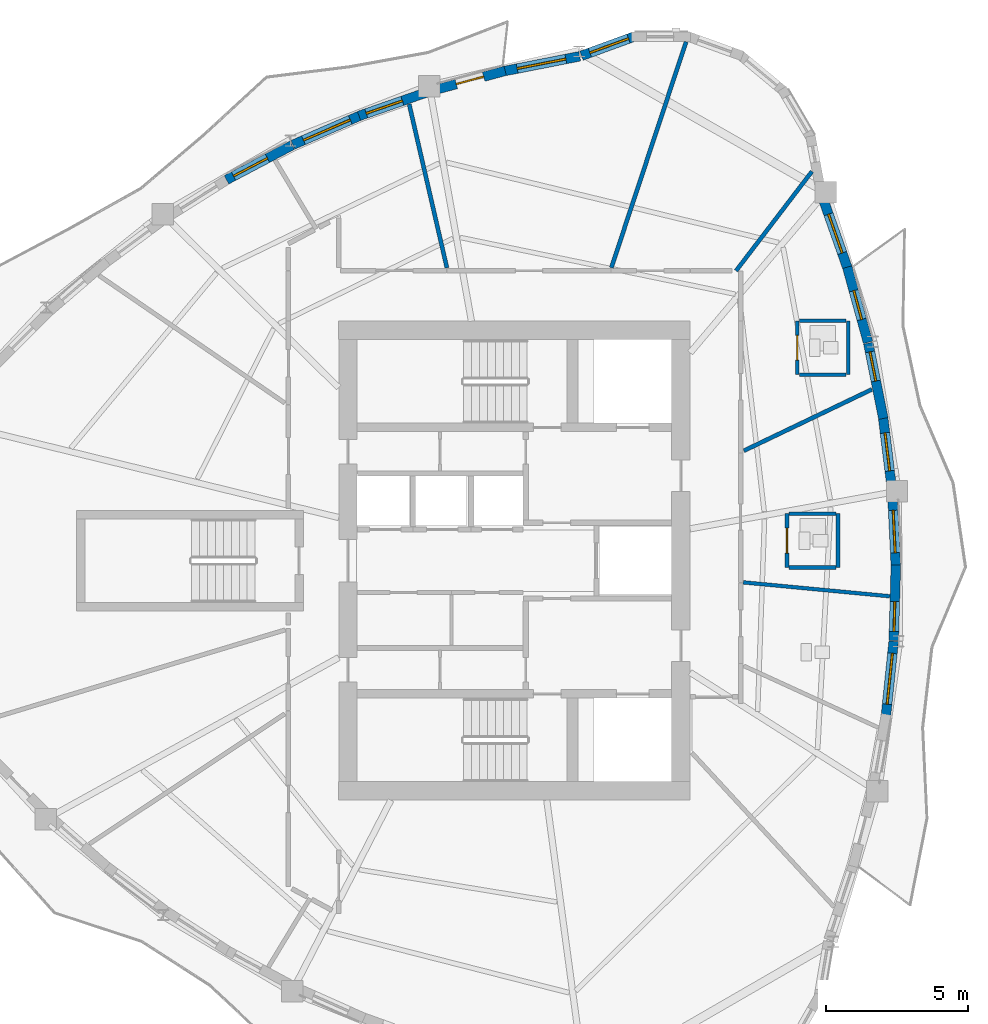
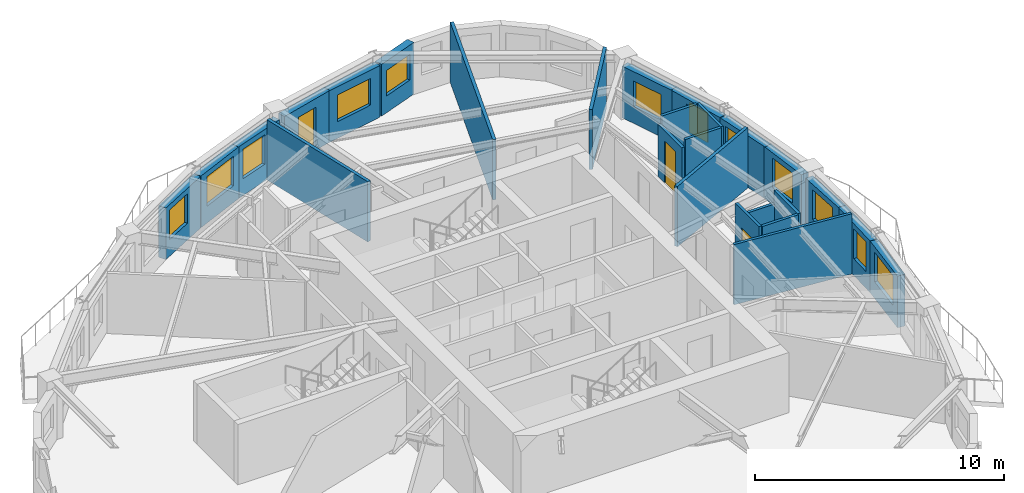
# One storey, part 7 of 12: 26 walls, 12 windows, 3 doors, 15 openings.
"""IFC4 building model written with IfcOpenShell, lengths in metres."""

from ifc_helpers import new_model, si_unit, direction, frame, frame_2d, origin, place, context, subcontext, project, spatial, rectangle, extrude, source, transform, mapped, material, layer, layer_set, type_object, element, fill, save


model = new_model("IFC4")

# Units and contexts
model_context = context("Model", 3, precision=1e-05, world=origin(), true_north=direction((0.0, 1.0)))
body_context = subcontext(model_context, "Body", "Model", "MODEL_VIEW")
ifc_project = project(units=[si_unit("LENGTHUNIT", "METRE"), si_unit("AREAUNIT", "SQUARE_METRE"), si_unit("VOLUMEUNIT", "CUBIC_METRE"), si_unit("PLANEANGLEUNIT", "RADIAN"), si_unit("MASSUNIT", "GRAM", prefix="KILO")], contexts=[model_context])

# Site, building, storey
site_placement = place(None, origin())
site = spatial("IfcSite", under=ifc_project, at=site_placement, CompositionType="ELEMENT")
building_placement = place(site_placement, origin())
building = spatial("IfcBuilding", under=site, at=building_placement, Name="Qafzar Sky-Pleat Residences", CompositionType="ELEMENT")
storey_placement = place(building_placement, frame((0.0, 0.0, 145.800048828125)))
storey = spatial("IfcBuildingStorey", under=building, at=storey_placement, Name="L43", CompositionType="ELEMENT", Elevation=145.800048828125)

# Walls
ifc_material_1 = material(Name="Acoustic gypsum plasterboard partition", Category="gypsum")
ifc_layer_1 = layer(ifc_material_1, 0.14501953125)
ifc_layer_set_1 = layer_set([ifc_layer_1], Name="Acoustic gypsum plasterboard partition")
wall_type_1 = type_object("IfcWallType", Name="PART-UNIT-145", PredefinedType="PARTITIONING", material=ifc_layer_set_1)
wall_1_placement = place(storey_placement, frame((33.7705078125, 36.34033203125, 0.0), z_axis=(0.0, 0.0, 1.0), x_axis=(0.314080540859, 0.949396341816, 0.0)))
element("IfcWall", 1, at=wall_1_placement, inside=storey, type_object=wall_type_1, Name="L43 Partition Wall PART-L43-PW-016", PredefinedType="PARTITIONING", context=body_context, shape_type="SweptSolid", body=[
    extrude(rectangle(XDim=8.394287109375, YDim=0.14501953125, at=frame_2d((4.197265625, 0.0))), origin(), (0.0, 0.0, 1.0), 2.949951171875),
])
wall_2_placement = place(storey_placement, frame((26.6337890625, 42.11328125, 0.0), z_axis=(0.0, 0.0, 1.0), x_axis=(0.224790361783, -0.97440714963, 0.0)))
element("IfcWall", 2, at=wall_2_placement, inside=storey, type_object=wall_type_1, Name="L43 Partition Wall PART-L43-PW-020", PredefinedType="PARTITIONING", context=body_context, shape_type="SweptSolid", body=[
    extrude(rectangle(XDim=5.93115234375, YDim=0.14501953125, at=frame_2d((2.965576171875, 0.0))), origin(), (0.0, 0.0, 1.0), 2.949951171875),
])
wall_3_placement = place(storey_placement, frame((38.448486328125, 29.880859375, 0.0), z_axis=(0.0, 0.0, 1.0), x_axis=(0.901842564972, 0.432064796072, 0.0)))
element("IfcWall", 3, at=wall_3_placement, inside=storey, type_object=wall_type_1, Name="L43 Partition Wall PART-L43-PW-023", PredefinedType="PARTITIONING", context=body_context, shape_type="SweptSolid", body=[
    extrude(rectangle(XDim=5.004150390625, YDim=0.14501953125, at=frame_2d((2.501953125, 0.0))), origin(), (0.0, 0.0, 1.0), 2.949951171875),
])
wall_4_placement = place(storey_placement, frame((38.169921875, 36.22998046875, 0.0), z_axis=(0.0, 0.0, 1.0), x_axis=(0.607203490548, 0.794546361811, 0.0)))
element("IfcWall", 4, at=wall_4_placement, inside=storey, type_object=wall_type_1, Name="L43 Partition Wall PART-L43-PW-024", PredefinedType="PARTITIONING", context=body_context, shape_type="SweptSolid", body=[
    extrude(rectangle(XDim=4.409912109375, YDim=0.14501953125, at=frame_2d((2.205078125, 0.0))), origin(), (0.0, 0.0, 1.0), 2.949951171875),
])

# Wall, opening, door
ifc_material_2 = material(Name="Moisture-resistant gypsum partition", Category="gypsum")
ifc_layer_2 = layer(ifc_material_2, 0.1298828125)
ifc_layer_set_2 = layer_set([ifc_layer_2], Name="Moisture-resistant gypsum partition")
wall_type_2 = type_object("IfcWallType", Name="PART-WET-130", PredefinedType="PARTITIONING", material=ifc_layer_set_2)
wall_5_placement = place(storey_placement, frame((39.968017578125, 27.656982421875, 0.0), z_axis=(0.0, 0.0, 1.0), x_axis=(0.0, -1.0, 0.0)))
wall_5 = element("IfcWall", 5, at=wall_5_placement, inside=storey, type_object=wall_type_2, Name="L43 Partition Wall PART-L43-PW-012", PredefinedType="PARTITIONING", context=body_context, shape_type="SweptSolid", body=[
    extrude(rectangle(XDim=1.89990234375, YDim=0.1298828125, at=frame_2d((0.949951171875, 0.0))), origin(), (0.0, 0.0, 1.0), 2.949951171875),
])
opening_1_placement = place(wall_5_placement, frame((0.510009765625, 0.0, 0.0)))
opening_1 = element("IfcOpeningElement", 6, at=opening_1_placement, cuts=wall_5, Name="Opening ID-07", PredefinedType="OPENING", context=body_context, shape_type="SweptSolid", body=[
    extrude(rectangle(XDim=0.8798828125, YDim=2.050048828125, at=frame_2d((0.43994140625, 1.02490234375))), frame((0.0, 0.074951171875, 0.0), z_axis=(0.0, -1.0, 0.0), x_axis=(1.0, 0.0, 0.0)), (0.0, 0.0, 1.0), 0.14990234375),
])
ifc_material_3 = material(Name="Timber-faced fire door", Category="wood")
door_type_1 = type_object("IfcDoorType", Name="DR-WET-880", OperationType="NOTDEFINED", PredefinedType="DOOR", material=ifc_material_3)
shared_shape_1 = source(origin(), body_context, "Body", "SweptSolid", [
    extrude(rectangle(XDim=0.8798828125, YDim=2.050048828125, at=frame_2d((0.43994140625, 1.02490234375))), frame((0.0, 0.02490234375, 0.0), z_axis=(0.0, -1.0, 0.0), x_axis=(1.0, 0.0, 0.0)), (0.0, 0.0, 1.0), 0.050048828125),
])
door_1_placement = place(opening_1_placement, origin())
door_1 = element("IfcDoor", 7, at=door_1_placement, inside=storey, type_object=door_type_1, Name="L43 En-suite Bathroom 1 Door", OperationType="SINGLE_SWING_RIGHT", OverallHeight=2.050048828125, OverallWidth=0.8798828125, PredefinedType="DOOR", context=body_context, shape_type="MappedRepresentation", body=[
    mapped(shared_shape_1, transform((0.0, 0.0, 0.0), x_axis=(1.0, 0.0, 0.0), y_axis=(0.0, 1.0, 0.0), z_axis=(0.0, 0.0, 1.0), scale=1.0)),
])
fill(opening_1, door_1)

wall_6_placement = place(storey_placement, frame((40.330078125, 34.464111328125, 0.0), z_axis=(0.0, 0.0, 1.0), x_axis=(0.0, -1.0, 0.0)))
wall_6 = element("IfcWall", 8, at=wall_6_placement, inside=storey, type_object=wall_type_2, Name="L43 Partition Wall PART-L43-PW-013", PredefinedType="PARTITIONING", context=body_context, shape_type="SweptSolid", body=[
    extrude(rectangle(XDim=1.900146484375, YDim=0.1298828125, at=frame_2d((0.9501953125, 0.0))), origin(), (0.0, 0.0, 1.0), 2.557861328125),
])
opening_2_placement = place(wall_6_placement, frame((0.510009765625, 0.0, 0.0)))
opening_2 = element("IfcOpeningElement", 9, at=opening_2_placement, cuts=wall_6, Name="Opening ID-07", PredefinedType="OPENING", context=body_context, shape_type="SweptSolid", body=[
    extrude(rectangle(XDim=0.8798828125, YDim=2.050048828125, at=frame_2d((0.43994140625, 1.02490234375))), frame((0.0, 0.074951171875, 0.0), z_axis=(0.0, -1.0, 0.0), x_axis=(1.0, 0.0, 0.0)), (0.0, 0.0, 1.0), 0.14990234375),
])
door_2_placement = place(opening_2_placement, origin())
door_2 = element("IfcDoor", 10, at=door_2_placement, inside=storey, type_object=door_type_1, Name="L43 En-suite Bathroom 2 Door", OperationType="SINGLE_SWING_LEFT", OverallHeight=2.050048828125, OverallWidth=0.8798828125, PredefinedType="DOOR", context=body_context, shape_type="MappedRepresentation", body=[
    mapped(shared_shape_1, transform((0.0, 0.0, 0.0), x_axis=(1.0, 0.0, 0.0), y_axis=(0.0, 1.0, 0.0), z_axis=(0.0, 0.0, 1.0), scale=1.0)),
])
fill(opening_2, door_2)

# Walls
wall_7_placement = place(storey_placement, frame((38.424072265625, 25.235107421875, 0.0), z_axis=(0.0, 0.0, 1.0), x_axis=(0.995523942217, -0.094509684549, 0.0)))
element("IfcWall", 11, at=wall_7_placement, inside=storey, type_object=wall_type_2, Name="L43 Partition Wall PART-L43-PW-022", PredefinedType="PARTITIONING", context=body_context, shape_type="SweptSolid", body=[
    extrude(rectangle(XDim=5.19482421875, YDim=0.1298828125, at=frame_2d((2.597412109375, 0.0))), origin(), (0.0, 0.0, 1.0), 2.949951171875),
])
wall_8_placement = place(storey_placement, frame((41.76806640625, 25.757080078125, 0.0), z_axis=(0.0, 0.0, 1.0), x_axis=(0.0, 1.0, 0.0)))
element("IfcWall", 12, at=wall_8_placement, inside=storey, type_object=wall_type_2, Name="L43 Partition Wall PART-L43-PW-027", PredefinedType="PARTITIONING", context=body_context, shape_type="SweptSolid", body=[
    extrude(rectangle(XDim=1.89990234375, YDim=0.1298828125, at=frame_2d((0.949951171875, 0.0))), origin(), (0.0, 0.0, 1.0), 2.949951171875),
])
wall_9_placement = place(storey_placement, frame((42.1298828125, 32.56396484375, 0.0), z_axis=(0.0, 0.0, 1.0), x_axis=(0.0, 1.0, 0.0)))
element("IfcWall", 13, at=wall_9_placement, inside=storey, type_object=wall_type_2, Name="L43 Partition Wall PART-L43-PW-028", PredefinedType="PARTITIONING", context=body_context, shape_type="SweptSolid", body=[
    extrude(rectangle(XDim=1.900146484375, YDim=0.1298828125, at=frame_2d((0.9501953125, 0.0))), origin(), (0.0, 0.0, 1.0), 2.949951171875),
])
for number, where, z_axis, x_axis, name in (
    (14, (40.403076171875, 34.464111328125, 0.0), (0.0, 0.0, 1.0), (1.0, 0.0, 0.0), "L43 Partition Wall PART-L43-PW-029"),
    (15, (40.403076171875, 32.56396484375, 0.0), (0.0, 0.0, 1.0), (1.0, 0.0, 0.0), "L43 Partition Wall PART-L43-PW-030"),
):
    element("IfcWall", number, at=place(storey_placement, frame(where, z_axis=z_axis, x_axis=x_axis)), inside=storey, type_object=wall_type_2, Name=name, PredefinedType="PARTITIONING", context=body_context, shape_type="SweptSolid", body=[
        extrude(rectangle(XDim=1.65380859375, YDim=0.1298828125, at=frame_2d((0.826904296875, 0.0))), origin(), (0.0, 0.0, 1.0), 2.949951171875),
    ])
wall_10_placement = place(storey_placement, frame((40.041015625, 27.656982421875, 0.0), z_axis=(0.0, 0.0, 1.0), x_axis=(1.0, 0.0, 0.0)))
element("IfcWall", 16, at=wall_10_placement, inside=storey, type_object=wall_type_2, Name="L43 Partition Wall PART-L43-PW-031", PredefinedType="PARTITIONING", context=body_context, shape_type="SweptSolid", body=[
    extrude(rectangle(XDim=1.654052734375, YDim=0.1298828125, at=frame_2d((0.8271484375, 0.0))), origin(), (0.0, 0.0, 1.0), 2.31787109375),
])
wall_11_placement = place(storey_placement, frame((40.041015625, 25.757080078125, 0.0), z_axis=(0.0, 0.0, 1.0), x_axis=(1.0, 0.0, 0.0)))
element("IfcWall", 17, at=wall_11_placement, inside=storey, type_object=wall_type_2, Name="L43 Partition Wall PART-L43-PW-032", PredefinedType="PARTITIONING", context=body_context, shape_type="SweptSolid", body=[
    extrude(rectangle(XDim=1.654052734375, YDim=0.1298828125, at=frame_2d((0.8271484375, 0.0))), origin(), (0.0, 0.0, 1.0), 2.949951171875),
])

# Wall, opening, window
ifc_material_4 = material(Name="Precast concrete C40/50 with honed Riyadh limestone", Category="concrete")
ifc_layer_3 = layer(ifc_material_4, 0.340087890625)
ifc_layer_set_3 = layer_set([ifc_layer_3], Name="Precast concrete C40/50 with honed Riyadh limestone")
wall_type_3 = type_object("IfcWallType", Name="WALL-EXT-340", PredefinedType="SOLIDWALL", material=ifc_layer_set_3)
wall_12_placement = place(storey_placement, frame((43.4541015625, 20.490478515625, 0.0), z_axis=(0.0, 0.0, 1.0), x_axis=(0.103669919384, 0.994611757328, 0.0)))
wall_12 = element("IfcWall", 18, at=wall_12_placement, inside=storey, type_object=wall_type_3, Name="L43 Limestone Facade Wall 26", PredefinedType="SOLIDWALL", context=body_context, shape_type="SweptSolid", body=[
    extrude(rectangle(XDim=2.679931640625, YDim=0.340087890625, at=frame_2d((1.33984375, 0.0))), origin(), (0.0, 0.0, 1.0), 2.530029296875),
])
opening_3_placement = place(wall_12_placement, frame((0.449951171875, 0.0, 0.820068359375)))
opening_3 = element("IfcOpeningElement", 19, at=opening_3_placement, cuts=wall_12, Name="Opening WN-01", PredefinedType="OPENING", context=body_context, shape_type="SweptSolid", body=[
    extrude(rectangle(XDim=1.800048828125, YDim=1.449951171875, at=frame_2d((0.89990234375, 0.72509765625))), frame((0.0, 0.18017578125, 0.0), z_axis=(0.0, -1.0, 0.0), x_axis=(1.0, 0.0, 0.0)), (0.0, 0.0, 1.0), 0.360107421875),
])
ifc_material_5 = material(Name="Solar-control low-E glass in bronze aluminium frame", Category="glass")
window_type_1 = type_object("IfcWindowType", Name="WIN-01", PartitioningType="DOUBLE_PANEL_VERTICAL", PredefinedType="WINDOW", material=ifc_material_5)
shared_shape_2 = source(origin(), body_context, "Body", "SweptSolid", [
    extrude(rectangle(XDim=1.800048828125, YDim=1.449951171875, at=frame_2d((0.89990234375, 0.72509765625))), frame((0.0, 0.030029296875, 0.0), z_axis=(0.0, -1.0, 0.0), x_axis=(1.0, 0.0, 0.0)), (0.0, 0.0, 1.0), 0.06005859375),
])
window_1_placement = place(opening_3_placement, origin())
window_1 = element("IfcWindow", 20, at=window_1_placement, inside=storey, type_object=window_type_1, Name="L43 Punched Facade Window 26", OverallHeight=1.449951171875, OverallWidth=1.800048828125, PartitioningType="SINGLE_PANEL", PredefinedType="WINDOW", context=body_context, shape_type="MappedRepresentation", body=[
    mapped(shared_shape_2, transform((0.0, 0.0, 0.0), x_axis=(1.0, 0.0, 0.0), y_axis=(0.0, 1.0, 0.0), z_axis=(0.0, 0.0, 1.0), scale=1.0)),
])
fill(opening_3, window_1)

wall_13_placement = place(storey_placement, frame((43.73388671875, 23.18310546875, 0.0), z_axis=(0.0, 0.0, 1.0), x_axis=(0.028311286797, 0.999599155182, 0.0)))
wall_13 = element("IfcWall", 21, at=wall_13_placement, inside=storey, type_object=wall_type_3, Name="L43 Limestone Facade Wall 27", PredefinedType="SOLIDWALL", context=body_context, shape_type="SweptSolid", body=[
    extrude(rectangle(XDim=2.66455078125, YDim=0.340087890625, at=frame_2d((1.332275390625, 0.0))), origin(), (0.0, 0.0, 1.0), 2.530029296875),
])
opening_4_placement = place(wall_13_placement, frame((0.322509765625, 0.0, 0.820068359375)))
opening_4 = element("IfcOpeningElement", 22, at=opening_4_placement, cuts=wall_13, Name="Opening WN-06", PredefinedType="OPENING", context=body_context, shape_type="SweptSolid", body=[
    extrude(rectangle(XDim=1.050048828125, YDim=1.449951171875, at=frame_2d((0.52490234375, 0.72509765625))), frame((0.0, 0.18017578125, 0.0), z_axis=(0.0, -1.0, 0.0), x_axis=(1.0, 0.0, 0.0)), (0.0, 0.0, 1.0), 0.360107421875),
])
window_type_2 = type_object("IfcWindowType", Name="WIN-06", PartitioningType="SINGLE_PANEL", PredefinedType="WINDOW", material=ifc_material_5)
shared_shape_3 = source(origin(), body_context, "Body", "SweptSolid", [
    extrude(rectangle(XDim=1.050048828125, YDim=1.449951171875, at=frame_2d((0.52490234375, 0.72509765625))), frame((0.0, 0.030029296875, 0.0), z_axis=(0.0, -1.0, 0.0), x_axis=(1.0, 0.0, 0.0)), (0.0, 0.0, 1.0), 0.06005859375),
])
window_2_placement = place(opening_4_placement, origin())
window_2 = element("IfcWindow", 23, at=window_2_placement, inside=storey, type_object=window_type_2, Name="L43 Punched Facade Window 27", OverallHeight=1.449951171875, OverallWidth=1.050048828125, PartitioningType="SINGLE_PANEL", PredefinedType="WINDOW", context=body_context, shape_type="MappedRepresentation", body=[
    mapped(shared_shape_3, transform((0.0, 0.0, 0.0), x_axis=(1.0, 0.0, 0.0), y_axis=(0.0, 1.0, 0.0), z_axis=(0.0, 0.0, 1.0), scale=1.0)),
])
fill(opening_4, window_2)

wall_14_placement = place(storey_placement, frame((43.810302734375, 25.7578125, 0.0), z_axis=(0.0, 0.0, 1.0), x_axis=(-0.047679791281, 0.998862671994, 0.0)))
wall_14 = element("IfcWall", 24, at=wall_14_placement, inside=storey, type_object=wall_type_3, Name="L43 Limestone Facade Wall 28", PredefinedType="SOLIDWALL", context=body_context, shape_type="SweptSolid", body=[
    extrude(rectangle(XDim=2.529541015625, YDim=0.340087890625, at=frame_2d((1.2646484375, 0.0))), origin(), (0.0, 0.0, 1.0), 2.530029296875),
])
opening_5_placement = place(wall_14_placement, frame((0.519775390625, 0.0, 0.820068359375)))
opening_5 = element("IfcOpeningElement", 25, at=opening_5_placement, cuts=wall_14, Name="Opening WN-03", PredefinedType="OPENING", context=body_context, shape_type="SweptSolid", body=[
    extrude(rectangle(XDim=1.5, YDim=1.449951171875, at=frame_2d((0.75, 0.72509765625))), frame((0.0, 0.18017578125, 0.0), z_axis=(0.0, -1.0, 0.0), x_axis=(1.0, 0.0, 0.0)), (0.0, 0.0, 1.0), 0.360107421875),
])
window_type_3 = type_object("IfcWindowType", Name="WIN-03", PartitioningType="DOUBLE_PANEL_VERTICAL", PredefinedType="WINDOW", material=ifc_material_5)
shared_shape_4 = source(origin(), body_context, "Body", "SweptSolid", [
    extrude(rectangle(XDim=1.5, YDim=1.449951171875, at=frame_2d((0.75, 0.72509765625))), frame((0.0, 0.030029296875, 0.0), z_axis=(0.0, -1.0, 0.0), x_axis=(1.0, 0.0, 0.0)), (0.0, 0.0, 1.0), 0.06005859375),
])
window_3_placement = place(opening_5_placement, origin())
window_3 = element("IfcWindow", 26, at=window_3_placement, inside=storey, type_object=window_type_3, Name="L43 Punched Facade Window 28", OverallHeight=1.449951171875, OverallWidth=1.5, PartitioningType="SINGLE_PANEL", PredefinedType="WINDOW", context=body_context, shape_type="MappedRepresentation", body=[
    mapped(shared_shape_4, transform((0.0, 0.0, 0.0), x_axis=(1.0, 0.0, 0.0), y_axis=(0.0, 1.0, 0.0), z_axis=(0.0, 0.0, 1.0), scale=1.0)),
])
fill(opening_5, window_3)

wall_15_placement = place(storey_placement, frame((43.664306640625, 28.580078125, 0.0), z_axis=(0.0, 0.0, 1.0), x_axis=(-0.122794881762, 0.992432071737, 0.0)))
wall_15 = element("IfcWall", 27, at=wall_15_placement, inside=storey, type_object=wall_type_3, Name="L43 Limestone Facade Wall 29", PredefinedType="SOLIDWALL", context=body_context, shape_type="SweptSolid", body=[
    extrude(rectangle(XDim=2.544921875, YDim=0.340087890625, at=frame_2d((1.2724609375, 0.0))), origin(), (0.0, 0.0, 1.0), 2.530029296875),
])
opening_6_placement = place(wall_15_placement, frame((0.59228515625, 0.0, 0.820068359375)))
opening_6 = element("IfcOpeningElement", 28, at=opening_6_placement, cuts=wall_15, Name="Opening WN-04", PredefinedType="OPENING", context=body_context, shape_type="SweptSolid", body=[
    extrude(rectangle(XDim=1.35009765625, YDim=1.449951171875, at=frame_2d((0.675048828125, 0.72509765625))), frame((0.0, 0.18017578125, 0.0), z_axis=(0.0, -1.0, 0.0), x_axis=(1.0, 0.0, 0.0)), (0.0, 0.0, 1.0), 0.360107421875),
])
window_type_4 = type_object("IfcWindowType", Name="WIN-04", PartitioningType="SINGLE_PANEL", PredefinedType="WINDOW", material=ifc_material_5)
shared_shape_5 = source(origin(), body_context, "Body", "SweptSolid", [
    extrude(rectangle(XDim=1.35009765625, YDim=1.449951171875, at=frame_2d((0.675048828125, 0.72509765625))), frame((0.0, 0.030029296875, 0.0), z_axis=(0.0, -1.0, 0.0), x_axis=(1.0, 0.0, 0.0)), (0.0, 0.0, 1.0), 0.06005859375),
])
window_4_placement = place(opening_6_placement, origin())
window_4 = element("IfcWindow", 29, at=window_4_placement, inside=storey, type_object=window_type_4, Name="L43 Punched Facade Window 29", OverallHeight=1.449951171875, OverallWidth=1.35009765625, PartitioningType="SINGLE_PANEL", PredefinedType="WINDOW", context=body_context, shape_type="MappedRepresentation", body=[
    mapped(shared_shape_5, transform((0.0, 0.0, 0.0), x_axis=(1.0, 0.0, 0.0), y_axis=(0.0, 1.0, 0.0), z_axis=(0.0, 0.0, 1.0), scale=1.0)),
])
fill(opening_6, window_4)

wall_16_placement = place(storey_placement, frame((43.365966796875, 31.018310546875, 0.0), z_axis=(0.0, 0.0, 1.0), x_axis=(-0.196116135138, 0.980580675691, 0.0)))
wall_16 = element("IfcWall", 30, at=wall_16_placement, inside=storey, type_object=wall_type_3, Name="L43 Limestone Facade Wall 30", PredefinedType="SOLIDWALL", context=body_context, shape_type="SweptSolid", body=[
    extrude(rectangle(XDim=2.710205078125, YDim=0.340087890625, at=frame_2d((1.35498046875, 0.0))), origin(), (0.0, 0.0, 1.0), 2.530029296875),
])
opening_7_placement = place(wall_16_placement, frame((1.3466796875, 0.0, 0.820068359375)))
opening_7 = element("IfcOpeningElement", 31, at=opening_7_placement, cuts=wall_16, Name="Opening WN-06", PredefinedType="OPENING", context=body_context, shape_type="SweptSolid", body=[
    extrude(rectangle(XDim=1.050048828125, YDim=1.449951171875, at=frame_2d((0.52490234375, 0.72509765625))), frame((0.0, 0.18017578125, 0.0), z_axis=(0.0, -1.0, 0.0), x_axis=(1.0, 0.0, 0.0)), (0.0, 0.0, 1.0), 0.360107421875),
])
window_5_placement = place(opening_7_placement, origin())
window_5 = element("IfcWindow", 32, at=window_5_placement, inside=storey, type_object=window_type_2, Name="L43 Punched Facade Window 30-2", OverallHeight=1.449951171875, OverallWidth=1.050048828125, PartitioningType="SINGLE_PANEL", PredefinedType="WINDOW", context=body_context, shape_type="MappedRepresentation", body=[
    mapped(shared_shape_3, transform((0.0, 0.0, 0.0), x_axis=(1.0, 0.0, 0.0), y_axis=(0.0, 1.0, 0.0), z_axis=(0.0, 0.0, 1.0), scale=1.0)),
])
fill(opening_7, window_5)

wall_17_placement = place(storey_placement, frame((42.827880859375, 33.70263671875, 0.0), z_axis=(0.0, 0.0, 1.0), x_axis=(-0.266340796898, 0.963878923884, 0.0)))
wall_17 = element("IfcWall", 33, at=wall_17_placement, inside=storey, type_object=wall_type_3, Name="L43 Limestone Facade Wall 31", PredefinedType="SOLIDWALL", context=body_context, shape_type="SweptSolid", body=[
    extrude(rectangle(XDim=2.754638671875, YDim=0.340087890625, at=frame_2d((1.37744140625, 0.0))), origin(), (0.0, 0.0, 1.0), 2.530029296875),
])
opening_8_placement = place(wall_17_placement, frame((0.84228515625, 0.0, 0.820068359375)))
opening_8 = element("IfcOpeningElement", 34, at=opening_8_placement, cuts=wall_17, Name="Opening WN-06", PredefinedType="OPENING", context=body_context, shape_type="SweptSolid", body=[
    extrude(rectangle(XDim=1.050048828125, YDim=1.449951171875, at=frame_2d((0.52490234375, 0.72509765625))), frame((0.0, 0.18017578125, 0.0), z_axis=(0.0, -1.0, 0.0), x_axis=(1.0, 0.0, 0.0)), (0.0, 0.0, 1.0), 0.360107421875),
])
window_6_placement = place(opening_8_placement, origin())
window_6 = element("IfcWindow", 35, at=window_6_placement, inside=storey, type_object=window_type_2, Name="L43 Punched Facade Window 31", OverallHeight=1.449951171875, OverallWidth=1.050048828125, PartitioningType="SINGLE_PANEL", PredefinedType="WINDOW", context=body_context, shape_type="MappedRepresentation", body=[
    mapped(shared_shape_3, transform((0.0, 0.0, 0.0), x_axis=(1.0, 0.0, 0.0), y_axis=(0.0, 1.0, 0.0), z_axis=(0.0, 0.0, 1.0), scale=1.0)),
])
fill(opening_8, window_6)

wall_18_placement = place(storey_placement, frame((42.12060546875, 36.27392578125, 0.0), z_axis=(0.0, 0.0, 1.0), x_axis=(-0.332724751299, 0.943023986902, 0.0)))
wall_18 = element("IfcWall", 36, at=wall_18_placement, inside=storey, type_object=wall_type_3, Name="L43 Limestone Facade Wall 32", PredefinedType="SOLIDWALL", context=body_context, shape_type="SweptSolid", body=[
    extrude(rectangle(XDim=2.67822265625, YDim=0.340087890625, at=frame_2d((1.339111328125, 0.0))), origin(), (0.0, 0.0, 1.0), 2.530029296875),
])
opening_9_placement = place(wall_18_placement, frame((0.618896484375, 0.0, 0.820068359375)))
opening_9 = element("IfcOpeningElement", 37, at=opening_9_placement, cuts=wall_18, Name="Opening WN-15", PredefinedType="OPENING", context=body_context, shape_type="SweptSolid", body=[
    extrude(rectangle(XDim=1.449951171875, YDim=1.25, at=frame_2d((0.72509765625, 0.625))), frame((0.0, 0.18017578125, 0.0), z_axis=(0.0, -1.0, 0.0), x_axis=(1.0, 0.0, 0.0)), (0.0, 0.0, 1.0), 0.360107421875),
])
window_type_5 = type_object("IfcWindowType", Name="WIN-15", PartitioningType="SINGLE_PANEL", PredefinedType="WINDOW", material=ifc_material_5)
shared_shape_6 = source(origin(), body_context, "Body", "SweptSolid", [
    extrude(rectangle(XDim=1.449951171875, YDim=1.25, at=frame_2d((0.72509765625, 0.625))), frame((0.0, 0.030029296875, 0.0), z_axis=(0.0, -1.0, 0.0), x_axis=(1.0, 0.0, 0.0)), (0.0, 0.0, 1.0), 0.06005859375),
])
window_7_placement = place(opening_9_placement, origin())
window_7 = element("IfcWindow", 38, at=window_7_placement, inside=storey, type_object=window_type_5, Name="L43 Punched Facade Window 32", OverallHeight=1.25, OverallWidth=1.449951171875, PartitioningType="SINGLE_PANEL", PredefinedType="WINDOW", context=body_context, shape_type="MappedRepresentation", body=[
    mapped(shared_shape_6, transform((0.0, 0.0, 0.0), x_axis=(1.0, 0.0, 0.0), y_axis=(0.0, 1.0, 0.0), z_axis=(0.0, 0.0, 1.0), scale=1.0)),
])
fill(opening_9, window_7)

wall_19_placement = place(storey_placement, frame((34.6162109375, 44.509765625, 0.0), z_axis=(0.0, 0.0, 1.0), x_axis=(-0.939426417976, -0.342750645819, 0.0)))
wall_19 = element("IfcWall", 39, at=wall_19_placement, inside=storey, type_object=wall_type_3, Name="L43 Limestone Facade Wall 38", PredefinedType="SOLIDWALL", context=body_context, shape_type="SweptSolid", body=[
    extrude(rectangle(XDim=2.02294921875, YDim=0.340087890625, at=frame_2d((1.011474609375, 0.0))), origin(), (0.0, 0.0, 1.0), 2.530029296875),
])
opening_10_placement = place(wall_19_placement, frame((0.256591796875, 0.0, 0.820068359375)))
opening_10 = element("IfcOpeningElement", 40, at=opening_10_placement, cuts=wall_19, Name="Opening WN-15", PredefinedType="OPENING", context=body_context, shape_type="SweptSolid", body=[
    extrude(rectangle(XDim=1.449951171875, YDim=1.25, at=frame_2d((0.72509765625, 0.625))), frame((0.0, 0.18017578125, 0.0), z_axis=(0.0, -1.0, 0.0), x_axis=(1.0, 0.0, 0.0)), (0.0, 0.0, 1.0), 0.360107421875),
])
window_8_placement = place(opening_10_placement, origin())
window_8 = element("IfcWindow", 41, at=window_8_placement, inside=storey, type_object=window_type_5, Name="L43 Punched Facade Window 38", OverallHeight=1.25, OverallWidth=1.449951171875, PartitioningType="SINGLE_PANEL", PredefinedType="WINDOW", context=body_context, shape_type="MappedRepresentation", body=[
    mapped(shared_shape_6, transform((0.0, 0.0, 0.0), x_axis=(1.0, 0.0, 0.0), y_axis=(0.0, 1.0, 0.0), z_axis=(0.0, 0.0, 1.0), scale=1.0)),
])
fill(opening_10, window_8)

wall_20_placement = place(storey_placement, frame((32.65185546875, 43.798583984375, 0.0), z_axis=(0.0, 0.0, 1.0), x_axis=(-0.98123033563, -0.192839385083, 0.0)))
wall_20 = element("IfcWall", 42, at=wall_20_placement, inside=storey, type_object=wall_type_3, Name="L43 Limestone Facade Wall 39", PredefinedType="SOLIDWALL", context=body_context, shape_type="SweptSolid", body=[
    extrude(rectangle(XDim=2.766357421875, YDim=0.340087890625, at=frame_2d((1.38330078125, 0.0))), origin(), (0.0, 0.0, 1.0), 2.530029296875),
])
opening_11_placement = place(wall_20_placement, frame((0.498046875, 0.0, 0.820068359375)))
opening_11 = element("IfcOpeningElement", 43, at=opening_11_placement, cuts=wall_20, Name="Opening WN-14", PredefinedType="OPENING", context=body_context, shape_type="SweptSolid", body=[
    extrude(rectangle(XDim=1.75, YDim=1.300048828125, at=frame_2d((0.875, 0.64990234375))), frame((0.0, 0.18017578125, 0.0), z_axis=(0.0, -1.0, 0.0), x_axis=(1.0, 0.0, 0.0)), (0.0, 0.0, 1.0), 0.360107421875),
])
window_type_6 = type_object("IfcWindowType", Name="WIN-14", PartitioningType="DOUBLE_PANEL_VERTICAL", PredefinedType="WINDOW", material=ifc_material_5)
shared_shape_7 = source(origin(), body_context, "Body", "SweptSolid", [
    extrude(rectangle(XDim=1.75, YDim=1.300048828125, at=frame_2d((0.875, 0.64990234375))), frame((0.0, 0.030029296875, 0.0), z_axis=(0.0, -1.0, 0.0), x_axis=(1.0, 0.0, 0.0)), (0.0, 0.0, 1.0), 0.06005859375),
])
window_9_placement = place(opening_11_placement, origin())
window_9 = element("IfcWindow", 44, at=window_9_placement, inside=storey, type_object=window_type_6, Name="L43 Punched Facade Window 39", OverallHeight=1.300048828125, OverallWidth=1.75, PartitioningType="SINGLE_PANEL", PredefinedType="WINDOW", context=body_context, shape_type="MappedRepresentation", body=[
    mapped(shared_shape_7, transform((0.0, 0.0, 0.0), x_axis=(1.0, 0.0, 0.0), y_axis=(0.0, 1.0, 0.0), z_axis=(0.0, 0.0, 1.0), scale=1.0)),
])
fill(opening_11, window_9)

# Wall, opening, door
wall_21_placement = place(storey_placement, frame((30.02294921875, 43.284912109375, 0.0), z_axis=(0.0, 0.0, 1.0), x_axis=(-0.965478241218, -0.260483714913, 0.0)))
wall_21 = element("IfcWall", 45, at=wall_21_placement, inside=storey, type_object=wall_type_3, Name="L43 Limestone Facade Wall 40", PredefinedType="SOLIDWALL", context=body_context, shape_type="SweptSolid", body=[
    extrude(rectangle(XDim=2.57373046875, YDim=0.340087890625, at=frame_2d((1.286865234375, 0.0))), origin(), (0.0, 0.0, 1.0), 2.530029296875),
])
opening_12_placement = place(wall_21_placement, frame((0.786865234375, 0.0, 0.0)))
opening_12 = element("IfcOpeningElement", 46, at=opening_12_placement, cuts=wall_21, Name="Opening ED-05", PredefinedType="OPENING", context=body_context, shape_type="SweptSolid", body=[
    extrude(rectangle(XDim=1.0, YDim=2.10009765625, at=frame_2d((0.5, 1.050048828125))), frame((0.0, 0.18017578125, 0.0), z_axis=(0.0, -1.0, 0.0), x_axis=(1.0, 0.0, 0.0)), (0.0, 0.0, 1.0), 0.360107421875),
])
ifc_material_6 = material(Name="Glazed bronze aluminium door", Category="aluminium")
door_type_2 = type_object("IfcDoorType", Name="DR-BAL-1000", OperationType="NOTDEFINED", PredefinedType="DOOR", material=ifc_material_6)
shared_shape_8 = source(origin(), body_context, "Body", "SweptSolid", [
    extrude(rectangle(XDim=1.0, YDim=2.10009765625, at=frame_2d((0.5, 1.050048828125))), frame((0.0, 0.02490234375, 0.0), z_axis=(0.0, -1.0, 0.0), x_axis=(1.0, 0.0, 0.0)), (0.0, 0.0, 1.0), 0.050048828125),
])
door_3_placement = place(opening_12_placement, origin())
door_3 = element("IfcDoor", 47, at=door_3_placement, inside=storey, type_object=door_type_2, Name="L43 Glazed Balcony Door 2", OperationType="SINGLE_SWING_LEFT", OverallHeight=2.10009765625, OverallWidth=1.0, PredefinedType="DOOR", context=body_context, shape_type="MappedRepresentation", body=[
    mapped(shared_shape_8, transform((0.0, 0.0, 0.0), x_axis=(1.0, 0.0, 0.0), y_axis=(0.0, 1.0, 0.0), z_axis=(0.0, 0.0, 1.0), scale=1.0)),
])
fill(opening_12, door_3)

# Wall, opening, window
wall_22_placement = place(storey_placement, frame((27.25390625, 42.526611328125, 0.0), z_axis=(0.0, 0.0, 1.0), x_axis=(-0.944140843313, -0.329542209721, 0.0)))
wall_22 = element("IfcWall", 48, at=wall_22_placement, inside=storey, type_object=wall_type_3, Name="L43 Limestone Facade Wall 41", PredefinedType="SOLIDWALL", context=body_context, shape_type="SweptSolid", body=[
    extrude(rectangle(XDim=2.530029296875, YDim=0.340087890625, at=frame_2d((1.26513671875, 0.0))), origin(), (0.0, 0.0, 1.0), 2.530029296875),
])
opening_13_placement = place(wall_22_placement, frame((0.909423828125, 0.0, 0.820068359375)))
opening_13 = element("IfcOpeningElement", 49, at=opening_13_placement, cuts=wall_22, Name="Opening WN-04", PredefinedType="OPENING", context=body_context, shape_type="SweptSolid", body=[
    extrude(rectangle(XDim=1.35009765625, YDim=1.449951171875, at=frame_2d((0.675048828125, 0.72509765625))), frame((0.0, 0.18017578125, 0.0), z_axis=(0.0, -1.0, 0.0), x_axis=(1.0, 0.0, 0.0)), (0.0, 0.0, 1.0), 0.360107421875),
])
window_10_placement = place(opening_13_placement, origin())
window_10 = element("IfcWindow", 50, at=window_10_placement, inside=storey, type_object=window_type_4, Name="L43 Punched Facade Window 41-2", OverallHeight=1.449951171875, OverallWidth=1.35009765625, PartitioningType="SINGLE_PANEL", PredefinedType="WINDOW", context=body_context, shape_type="MappedRepresentation", body=[
    mapped(shared_shape_5, transform((0.0, 0.0, 0.0), x_axis=(1.0, 0.0, 0.0), y_axis=(0.0, 1.0, 0.0), z_axis=(0.0, 0.0, 1.0), scale=1.0)),
])
fill(opening_13, window_10)

wall_23_placement = place(storey_placement, frame((24.94775390625, 41.72509765625, 0.0), z_axis=(0.0, 0.0, 1.0), x_axis=(-0.917067110524, -0.398732886523, 0.0)))
wall_23 = element("IfcWall", 51, at=wall_23_placement, inside=storey, type_object=wall_type_3, Name="L43 Limestone Facade Wall 42", PredefinedType="SOLIDWALL", context=body_context, shape_type="SweptSolid", body=[
    extrude(rectangle(XDim=2.63525390625, YDim=0.340087890625, at=frame_2d((1.317626953125, 0.0))), origin(), (0.0, 0.0, 1.0), 2.530029296875),
])
opening_14_placement = place(wall_23_placement, frame((0.427490234375, 0.0, 0.820068359375)))
opening_14 = element("IfcOpeningElement", 52, at=opening_14_placement, cuts=wall_23, Name="Opening WN-01", PredefinedType="OPENING", context=body_context, shape_type="SweptSolid", body=[
    extrude(rectangle(XDim=1.800048828125, YDim=1.449951171875, at=frame_2d((0.89990234375, 0.72509765625))), frame((0.0, 0.18017578125, 0.0), z_axis=(0.0, -1.0, 0.0), x_axis=(1.0, 0.0, 0.0)), (0.0, 0.0, 1.0), 0.360107421875),
])
window_11_placement = place(opening_14_placement, origin())
window_11 = element("IfcWindow", 53, at=window_11_placement, inside=storey, type_object=window_type_1, Name="L43 Punched Facade Window 42", OverallHeight=1.449951171875, OverallWidth=1.800048828125, PartitioningType="SINGLE_PANEL", PredefinedType="WINDOW", context=body_context, shape_type="MappedRepresentation", body=[
    mapped(shared_shape_2, transform((0.0, 0.0, 0.0), x_axis=(1.0, 0.0, 0.0), y_axis=(0.0, 1.0, 0.0), z_axis=(0.0, 0.0, 1.0), scale=1.0)),
])
fill(opening_14, window_11)

wall_24_placement = place(storey_placement, frame((22.506591796875, 40.66259765625, 0.0), z_axis=(0.0, 0.0, 1.0), x_axis=(-0.884410392718, -0.466710035517, 0.0)))
wall_24 = element("IfcWall", 54, at=wall_24_placement, inside=storey, type_object=wall_type_3, Name="L43 Limestone Facade Wall 43", PredefinedType="SOLIDWALL", context=body_context, shape_type="SweptSolid", body=[
    extrude(rectangle(XDim=2.620361328125, YDim=0.340087890625, at=frame_2d((1.31005859375, 0.0))), origin(), (0.0, 0.0, 1.0), 2.530029296875),
])
opening_15_placement = place(wall_24_placement, frame((0.98828125, 0.0, 0.820068359375)))
opening_15 = element("IfcOpeningElement", 55, at=opening_15_placement, cuts=wall_24, Name="Opening WN-04", PredefinedType="OPENING", context=body_context, shape_type="SweptSolid", body=[
    extrude(rectangle(XDim=1.35009765625, YDim=1.449951171875, at=frame_2d((0.675048828125, 0.72509765625))), frame((0.0, 0.18017578125, 0.0), z_axis=(0.0, -1.0, 0.0), x_axis=(1.0, 0.0, 0.0)), (0.0, 0.0, 1.0), 0.360107421875),
])
window_12_placement = place(opening_15_placement, origin())
window_12 = element("IfcWindow", 56, at=window_12_placement, inside=storey, type_object=window_type_4, Name="L43 Punched Facade Window 43-2", OverallHeight=1.449951171875, OverallWidth=1.35009765625, PartitioningType="SINGLE_PANEL", PredefinedType="WINDOW", context=body_context, shape_type="MappedRepresentation", body=[
    mapped(shared_shape_5, transform((0.0, 0.0, 0.0), x_axis=(1.0, 0.0, 0.0), y_axis=(0.0, 1.0, 0.0), z_axis=(0.0, 0.0, 1.0), scale=1.0)),
])
fill(opening_15, window_12)

save(model, "model.ifc")
